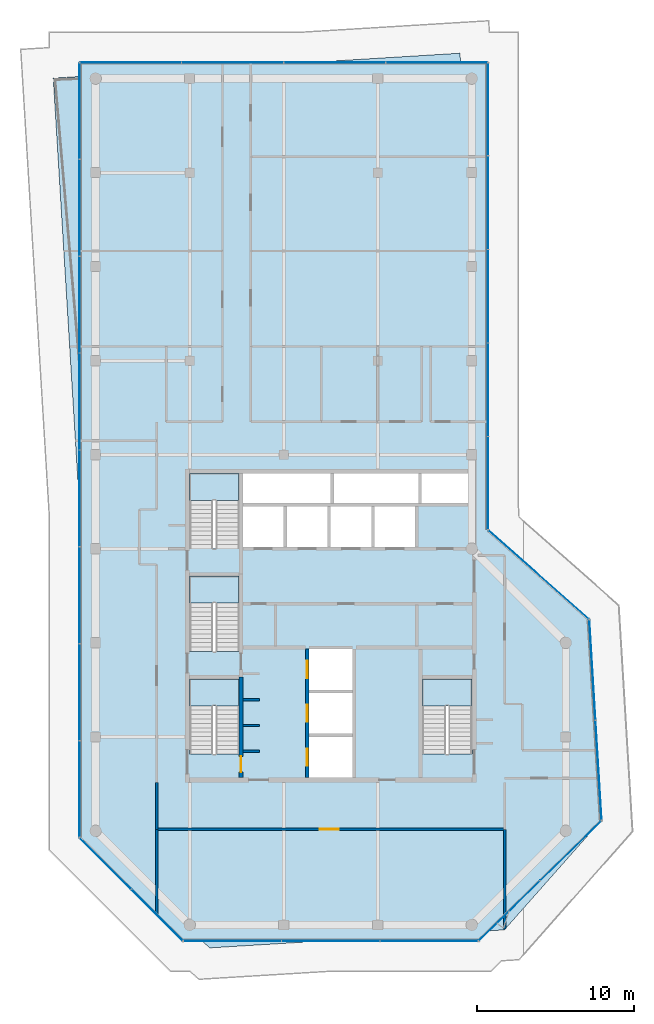
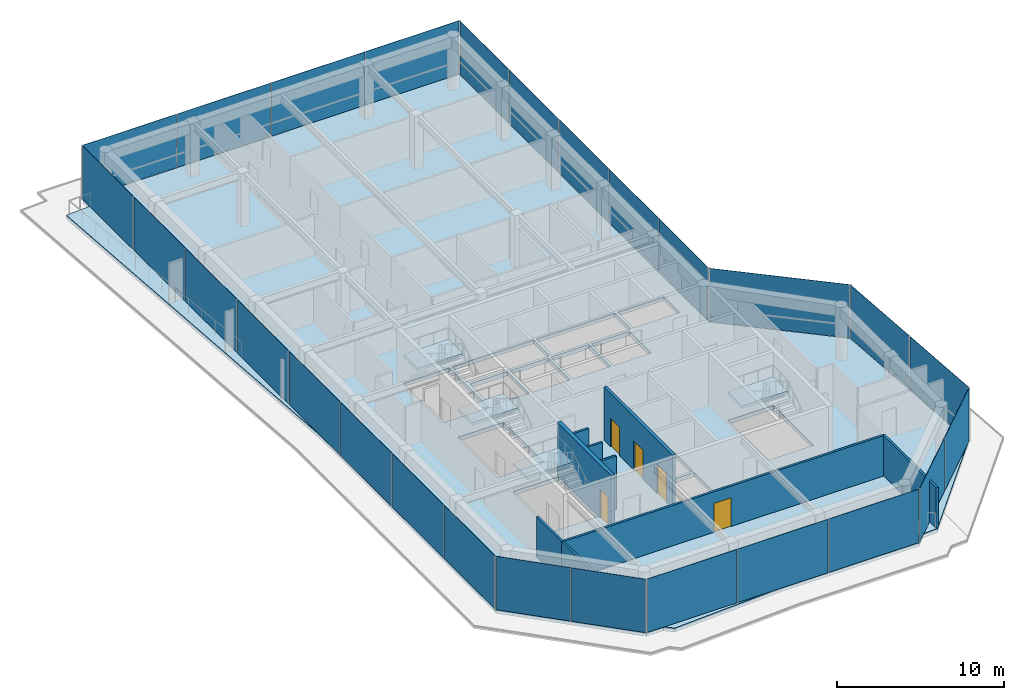
# One storey, part 17 of 22: 27 plates, 9 walls, 5 doors, 5 slabs, 5 openings, 12 elements without a shape of their own.
"""IFC4 building model written with IfcOpenShell, lengths in metres."""

import ifcopenshell
import ifcopenshell.guid

model = None  # the IFC model being written
_history = None  # IfcOwnerHistory: only IFC2X3 demands one
_inside = {}  # id of a spatial element -> (the spatial element, [elements in it])
_under = {}  # id of a project, library or spatial element -> (it, [spatial elements below it])
_declared = {}  # id of a project -> (the project, [libraries it declares])
_typed = {}  # id of a type object -> (the type object, [elements of that type])
_made_of = {}  # id of a material, layer set ... -> (it, [elements and type objects made of it])


def new_model(schema):
    """Start an empty IFC model of exactly this schema.

    Asked for "IFC4X3", IfcOpenShell would pick the latest addendum, in which some entities
    have other attributes; the version numbers below select the first issue.
    IFC2X3 requires an IfcOwnerHistory on every rooted entity: one is made here for all.
    """
    global model, _history
    if schema == "IFC4X3":
        model = ifcopenshell.file(schema_version=(4, 3, 0, 0))
    else:
        model = ifcopenshell.file(schema=schema)
    _inside.clear()
    _under.clear()
    _declared.clear()
    _typed.clear()
    _made_of.clear()
    _history = None
    if model.schema == "IFC2X3":
        org = make("IfcOrganization", Name="unknown")
        user = make(
            "IfcPersonAndOrganization",
            ThePerson=make("IfcPerson", FamilyName="unknown"),
            TheOrganization=org,
        )
        app = make(
            "IfcApplication",
            ApplicationDeveloper=org,
            Version="unknown",
            ApplicationFullName="unknown",
            ApplicationIdentifier="unknown",
        )
        _history = make(
            "IfcOwnerHistory",
            OwningUser=user,
            OwningApplication=app,
            ChangeAction="ADDED",
            CreationDate=0,
        )
    return model


def make(cls, **values):
    """One entity of the class cls with the attributes given. An attribute that is None is left unset."""
    return model.create_entity(
        cls, **{name: value for name, value in values.items() if value is not None}
    )


def rooted(cls, **values):
    """An entity with a GlobalId (a new one), such as an element, a storey or a relation."""
    return make(cls, GlobalId=ifcopenshell.guid.new(), OwnerHistory=_history, **values)


def si_unit(unit_type, name, prefix=None):
    """IfcSIUnit, for example si_unit("LENGTHUNIT", "METRE", prefix="MILLI")."""
    return make("IfcSIUnit", UnitType=unit_type, Prefix=prefix, Name=name)


def assignment(units):
    """IfcUnitAssignment: the units of a project."""
    return None if units is None else make("IfcUnitAssignment", Units=units)


def point(xyz):
    """IfcCartesianPoint."""
    return None if xyz is None else make("IfcCartesianPoint", Coordinates=xyz)


def direction(xyz):
    """IfcDirection."""
    return None if xyz is None else make("IfcDirection", DirectionRatios=xyz)


def frame(location, z_axis=None, x_axis=None):
    """IfcAxis2Placement3D, a coordinate frame: its origin and axes. An axis left out is left unset."""
    return make(
        "IfcAxis2Placement3D",
        Location=point(location),
        Axis=direction(z_axis),
        RefDirection=direction(x_axis),
    )


def frame_2d(location, x_axis=None):
    """IfcAxis2Placement2D, a coordinate frame in the plane: its origin and x axis."""
    return make(
        "IfcAxis2Placement2D", Location=point(location), RefDirection=direction(x_axis)
    )


def origin():
    """The frame at (0, 0, 0) with its axes left unset."""
    return frame((0.0, 0.0, 0.0))


def origin_2d():
    """The frame at (0, 0) in the plane with its x axis left unset."""
    return frame_2d((0.0, 0.0))


def place(relative_to, where):
    """IfcLocalPlacement: puts the frame where relative to a parent placement (None: the world)."""
    return make(
        "IfcLocalPlacement", PlacementRelTo=relative_to, RelativePlacement=where
    )


def context(
    kind, dimensions, precision=None, world=None, true_north=None, identifier=None
):
    """IfcGeometricRepresentationContext, for example the 3D "Model" context."""
    return make(
        "IfcGeometricRepresentationContext",
        ContextIdentifier=identifier,
        ContextType=kind,
        CoordinateSpaceDimension=dimensions,
        Precision=precision,
        WorldCoordinateSystem=world,
        TrueNorth=true_north,
    )


def subcontext(parent, identifier, kind, view, scale=None):
    """IfcGeometricRepresentationSubContext, for example "Body" below "Model"."""
    return make(
        "IfcGeometricRepresentationSubContext",
        ContextIdentifier=identifier,
        ContextType=kind,
        ParentContext=parent,
        TargetScale=scale,
        TargetView=view,
    )


def project(units=None, contexts=None):
    """IfcProject with its units and contexts."""
    return rooted(
        "IfcProject",
        Name="project",
        RepresentationContexts=contexts,
        UnitsInContext=assignment(units),
    )


def spatial(cls, under=None, at=None, **own):
    """A site, building, storey or space (cls), placed at a placement, below another one or the project."""
    s = rooted(cls, ObjectPlacement=at, **own)
    if under is not None:
        _under.setdefault(under.id(), (under, []))[1].append(s)
    return s


def polyline(points):
    """IfcPolyline through the points."""
    return make("IfcPolyline", Points=[point(p) for p in points])


def profile(cls, at=None, kind="AREA", **sizes):
    """A parametric profile (cls). Its sizes go by their IFC names, for example OverallWidth=200.0."""
    return make(cls, ProfileType=kind, Position=at, **sizes)


def rectangle(**sizes):
    """IfcRectangleProfileDef."""
    return profile("IfcRectangleProfileDef", **sizes)


def outline(outer, holes=None, kind="AREA"):
    """IfcArbitraryClosedProfileDef: a profile drawn as a closed curve; with holes, ...WithVoids."""
    if holes is None:
        return make("IfcArbitraryClosedProfileDef", ProfileType=kind, OuterCurve=outer)
    return make(
        "IfcArbitraryProfileDefWithVoids",
        ProfileType=kind,
        OuterCurve=outer,
        InnerCurves=holes,
    )


def extrude(swept, where, along, depth):
    """IfcExtrudedAreaSolid: the profile swept, set in the frame where, extruded along a direction by depth."""
    return make(
        "IfcExtrudedAreaSolid",
        SweptArea=swept,
        Position=where,
        ExtrudedDirection=direction(along),
        Depth=depth,
    )


def shape(context_of_items, identifier, shape_type, items):
    """IfcShapeRepresentation: the items that make up one representation, for example the "Body"."""
    return make(
        "IfcShapeRepresentation",
        ContextOfItems=context_of_items,
        RepresentationIdentifier=identifier,
        RepresentationType=shape_type,
        Items=items,
    )


def material(Name=None, Category=None):
    """IfcMaterial."""
    return make("IfcMaterial", Name=Name, Category=Category)


def layer(
    of_material, thickness, ventilated=None, Name=None, Category=None, Priority=None
):
    """IfcMaterialLayer: one layer of a wall or slab, of a material (None: an air gap)."""
    return make(
        "IfcMaterialLayer",
        Material=of_material,
        LayerThickness=thickness,
        IsVentilated=ventilated,
        Name=Name,
        Category=Category,
        Priority=Priority,
    )


def layer_set(layers, Name=None):
    """IfcMaterialLayerSet."""
    return make("IfcMaterialLayerSet", MaterialLayers=layers, LayerSetName=Name)


def made_of(thing, what):
    """Note that an element or type object is made of a material, layer set ...; save() writes the relation."""
    if what is not None:
        _made_of.setdefault(what.id(), (what, []))[1].append(thing)
    return thing


def type_object(cls, material=None, **own):
    """A type object (cls), such as IfcWallType, which elements share."""
    return made_of(rooted(cls, **own), material)


def element(
    cls,
    number,
    at=None,
    inside=None,
    cuts=None,
    type_object=None,
    material=None,
    context=None,
    identifier="Body",
    shape_type=None,
    held_by="IfcProductDefinitionShape",
    body=None,
    shapes=None,
    **own,
):
    """One element of the class cls, such as IfcWall. Its Tag is "e" and its number.

    at: its placement. inside: the storey or other place that contains it. cuts: it is an
    opening in that element (IfcRelVoidsElement). A single representation is given by context,
    identifier, shape_type and body (its items); several are given by shapes. held_by: the class
    of the entity that holds the representations. save() writes the other relations.
    """
    e = rooted(cls, Tag="e%d" % number, ObjectPlacement=at, **own)
    if body is not None:
        shapes = [shape(context, identifier, shape_type, body)]
    if shapes is not None:
        e.Representation = make(held_by, Representations=shapes)
    if inside is not None:
        _inside.setdefault(inside.id(), (inside, []))[1].append(e)
    if cuts is not None:
        rooted(
            "IfcRelVoidsElement", RelatingBuildingElement=cuts, RelatedOpeningElement=e
        )
    if type_object is not None:
        _typed.setdefault(type_object.id(), (type_object, []))[1].append(e)
    return made_of(e, material)


def fill(opening, filler):
    """IfcRelFillsElement: the door or window that sits in an opening."""
    return rooted(
        "IfcRelFillsElement",
        RelatingOpeningElement=opening,
        RelatedBuildingElement=filler,
    )


def aggregate(whole, parts):
    """IfcRelAggregates: a whole, such as a stair, and the parts it consists of."""
    return rooted("IfcRelAggregates", RelatingObject=whole, RelatedObjects=parts)


def save(model, path):
    """Write the relations noted so far, then the file.

    IfcRelAggregates (storeys below a building ...), IfcRelContainedInSpatialStructure (elements
    in a storey), IfcRelDefinesByType, IfcRelAssociatesMaterial and IfcRelDeclares: one each for
    every whole, place, type object, material and project.
    """
    for whole, parts in _under.values():
        aggregate(whole, parts)
    for where, things in _inside.values():
        rooted(
            "IfcRelContainedInSpatialStructure",
            RelatedElements=things,
            RelatingStructure=where,
        )
    for kind, things in _typed.values():
        rooted("IfcRelDefinesByType", RelatedObjects=things, RelatingType=kind)
    for what, things in _made_of.values():
        rooted("IfcRelAssociatesMaterial", RelatedObjects=things, RelatingMaterial=what)
    for by, libraries in _declared.values():
        rooted("IfcRelDeclares", RelatingContext=by, RelatedDefinitions=libraries)
    model.write(path)


model = new_model("IFC4")

# Units and contexts
model_context = context("Model", 3, precision=1e-05, world=origin(), true_north=direction((0.0, 1.0)))
body_context = subcontext(model_context, "Body", "Model", "MODEL_VIEW")
ifc_project = project(units=[si_unit("LENGTHUNIT", "METRE"), si_unit("AREAUNIT", "SQUARE_METRE"), si_unit("VOLUMEUNIT", "CUBIC_METRE"), si_unit("PLANEANGLEUNIT", "RADIAN"), si_unit("MASSUNIT", "GRAM", prefix="KILO")], contexts=[model_context])

# Site, building, storey
site_placement = place(None, origin())
site = spatial("IfcSite", under=ifc_project, at=site_placement, CompositionType="ELEMENT")
building_placement = place(site_placement, origin())
building = spatial("IfcBuilding", under=site, at=building_placement, Name="Welwitschia Terrace Campus", CompositionType="ELEMENT")
storey_placement = place(building_placement, frame((0.0, 0.0, 318.800048828125)))
storey = spatial("IfcBuildingStorey", under=building, at=storey_placement, Name="L71", CompositionType="ELEMENT", Elevation=318.800048828125)

# Curtain wall, plates
ifc_material_1 = material(Name="Bronze anodised aluminium", Category="aluminium")
ifc_layer_1 = layer(ifc_material_1, 0.10009765625)
ifc_layer_set_1 = layer_set([ifc_layer_1], Name="Bronze anodised aluminium")
curtain_wall_type = type_object("IfcCurtainWallType", Name="Curtain wall CW5 crown 6000", PredefinedType="NOTDEFINED", material=ifc_layer_set_1)
curtain_wall_1_placement = place(storey_placement, origin())
curtain_wall_1 = element("IfcCurtainWall", 1, at=curtain_wall_1_placement, inside=storey, type_object=curtain_wall_type, Name="CW L71.0.0", PredefinedType="NOTDEFINED")
ifc_material_2 = material(Name="Tinted bronze-grey glass", Category="glass")
ifc_layer_2 = layer(ifc_material_2, 0.02392578125)
ifc_layer_set_2 = layer_set([ifc_layer_2], Name="Tinted bronze-grey glass")
plate_type = type_object("IfcPlateType", Name="Glass panel 24 tinted", PredefinedType="CURTAIN_PANEL", material=ifc_layer_set_2)
plate_1_placement = place(storey_placement, frame((0.629638671875, -0.08642578125, 0.0), z_axis=(0.0, 0.0, 1.0), x_axis=(0.707106781187, -0.707106781187, 0.0)))
plate_1 = element("IfcPlate", 2, at=plate_1_placement, type_object=plate_type, Name="Panel L71.0.0.0", PredefinedType="CURTAIN_PANEL", context=body_context, shape_type="SweptSolid", body=[
    extrude(rectangle(XDim=4.59423828125, YDim=0.02392578125, at=origin_2d()), origin(), (0.0, 0.0, 1.0), 3.89990234375),
])
plate_2_placement = place(storey_placement, frame((3.91357421875, -3.370361328125, 0.0), z_axis=(0.0, 0.0, 1.0), x_axis=(0.707106781187, -0.707106781187, 0.0)))
plate_2 = element("IfcPlate", 3, at=plate_2_placement, type_object=plate_type, Name="Panel L71.0.0.1", PredefinedType="CURTAIN_PANEL", context=body_context, shape_type="SweptSolid", body=[
    extrude(rectangle(XDim=4.59423828125, YDim=0.02392578125, at=origin_2d()), origin(), (0.0, 0.0, 1.0), 3.89990234375),
])
aggregate(curtain_wall_1, [plate_1, plate_2])

curtain_wall_2_placement = place(storey_placement, origin())
curtain_wall_2 = element("IfcCurtainWall", 4, at=curtain_wall_2_placement, inside=storey, type_object=curtain_wall_type, Name="CW L71.1.0", PredefinedType="NOTDEFINED")
plate_3_placement = place(storey_placement, frame((8.72802734375, -5.030029296875, 0.0), z_axis=(0.0, 0.0, 1.0), x_axis=(1.0, 0.0, 0.0)))
plate_3 = element("IfcPlate", 5, at=plate_3_placement, type_object=plate_type, Name="Panel L71.1.0.0", PredefinedType="CURTAIN_PANEL", context=body_context, shape_type="SweptSolid", body=[
    extrude(rectangle(XDim=6.20947265625, YDim=0.02392578125, at=origin_2d()), origin(), (0.0, 0.0, 1.0), 3.89990234375),
])
plate_4_placement = place(storey_placement, frame((15.0, -5.030029296875, 0.0), z_axis=(0.0, 0.0, 1.0), x_axis=(1.0, 0.0, 0.0)))
plate_4 = element("IfcPlate", 6, at=plate_4_placement, type_object=plate_type, Name="Panel L71.1.0.1", PredefinedType="CURTAIN_PANEL", context=body_context, shape_type="SweptSolid", body=[
    extrude(rectangle(XDim=6.234375, YDim=0.02392578125, at=origin_2d()), origin(), (0.0, 0.0, 1.0), 3.89990234375),
])
plate_5_placement = place(storey_placement, frame((21.27197265625, -5.030029296875, 0.0), z_axis=(0.0, 0.0, 1.0), x_axis=(1.0, 0.0, 0.0)))
plate_5 = element("IfcPlate", 7, at=plate_5_placement, type_object=plate_type, Name="Panel L71.1.0.2", PredefinedType="CURTAIN_PANEL", context=body_context, shape_type="SweptSolid", body=[
    extrude(rectangle(XDim=6.20947265625, YDim=0.02392578125, at=origin_2d()), origin(), (0.0, 0.0, 1.0), 3.89990234375),
])
aggregate(curtain_wall_2, [plate_3, plate_4, plate_5])

curtain_wall_3_placement = place(storey_placement, origin())
curtain_wall_3 = element("IfcCurtainWall", 8, at=curtain_wall_3_placement, inside=storey, type_object=curtain_wall_type, Name="CW L71.2.0", PredefinedType="NOTDEFINED")
plate_6_placement = place(storey_placement, frame((26.39990234375, -3.1015625, 0.0), z_axis=(0.0, 0.0, 1.0), x_axis=(0.715178861458, 0.698941482617, 0.0)))
plate_6 = element("IfcPlate", 9, at=plate_6_placement, type_object=plate_type, Name="Panel L71.2.0.0", PredefinedType="CURTAIN_PANEL", context=body_context, shape_type="SweptSolid", body=[
    extrude(rectangle(XDim=5.41796875, YDim=0.02392578125, at=origin_2d()), origin(), (0.0, 0.0, 1.0), 3.89990234375),
])
plate_7_placement = place(storey_placement, frame((30.310302734375, 0.72021484375, 0.0), z_axis=(0.0, 0.0, 1.0), x_axis=(0.715178861458, 0.698941482617, 0.0)))
plate_7 = element("IfcPlate", 10, at=plate_7_placement, type_object=plate_type, Name="Panel L71.2.0.1", PredefinedType="CURTAIN_PANEL", context=body_context, shape_type="SweptSolid", body=[
    extrude(rectangle(XDim=5.41796875, YDim=0.02392578125, at=origin_2d()), origin(), (0.0, 0.0, 1.0), 3.89990234375),
])
aggregate(curtain_wall_3, [plate_6, plate_7])

curtain_wall_4_placement = place(storey_placement, origin())
curtain_wall_4 = element("IfcCurtainWall", 11, at=curtain_wall_4_placement, inside=storey, type_object=curtain_wall_type, Name="CW L71.3.0", PredefinedType="NOTDEFINED")
plate_8_placement = place(storey_placement, frame((32.086669921875, 5.8681640625, 0.0), z_axis=(0.0, 0.0, 1.0), x_axis=(-0.061048539535, 0.998134798422, 0.0)))
plate_8 = element("IfcPlate", 12, at=plate_8_placement, type_object=plate_type, Name="Panel L71.3.0.0", PredefinedType="CURTAIN_PANEL", context=body_context, shape_type="SweptSolid", body=[
    extrude(rectangle(XDim=6.3515625, YDim=0.02392578125, at=origin_2d()), origin(), (0.0, 0.0, 1.0), 3.89990234375),
])
plate_9_placement = place(storey_placement, frame((31.69580078125, 12.258056640625, 0.0), z_axis=(0.0, 0.0, 1.0), x_axis=(-0.061048539535, 0.998134798422, 0.0)))
plate_9 = element("IfcPlate", 13, at=plate_9_placement, type_object=plate_type, Name="Panel L71.3.0.1", PredefinedType="CURTAIN_PANEL", context=body_context, shape_type="SweptSolid", body=[
    extrude(rectangle(XDim=6.3515625, YDim=0.02392578125, at=origin_2d()), origin(), (0.0, 0.0, 1.0), 3.89990234375),
])
aggregate(curtain_wall_4, [plate_8, plate_9])

# Curtain wall, plate
curtain_wall_5_placement = place(storey_placement, origin())
curtain_wall_5 = element("IfcCurtainWall", 14, at=curtain_wall_5_placement, inside=storey, type_object=curtain_wall_type, Name="CW L71.4.0", PredefinedType="NOTDEFINED")
plate_10_placement = place(storey_placement, frame((28.264404296875, 18.33935546875, 0.0), z_axis=(0.0, 0.0, 1.0), x_axis=(-0.748955720789, 0.662620048216, 0.0)))
plate_10 = element("IfcPlate", 15, at=plate_10_placement, type_object=plate_type, Name="Panel L71.4.0.0", PredefinedType="CURTAIN_PANEL", context=body_context, shape_type="SweptSolid", body=[
    extrude(rectangle(XDim=8.537109375, YDim=0.02392578125, at=origin_2d()), origin(), (0.0, 0.0, 1.0), 3.89990234375),
])
aggregate(curtain_wall_5, [plate_10])

# Curtain wall, plates
curtain_wall_6_placement = place(storey_placement, origin())
curtain_wall_6 = element("IfcCurtainWall", 16, at=curtain_wall_6_placement, inside=storey, type_object=curtain_wall_type, Name="CW L71.5.0", PredefinedType="NOTDEFINED")
plate_11_placement = place(storey_placement, frame((25.030029296875, 24.1962890625, 0.0), z_axis=(0.0, 0.0, 1.0), x_axis=(0.0, 1.0, 0.0)))
plate_11 = element("IfcPlate", 17, at=plate_11_placement, type_object=plate_type, Name="Panel L71.5.0.0", PredefinedType="CURTAIN_PANEL", context=body_context, shape_type="SweptSolid", body=[
    extrude(rectangle(XDim=5.890869140625, YDim=0.02392578125, at=origin_2d()), origin(), (0.0, 0.0, 1.0), 3.89990234375),
])
plate_12_placement = place(storey_placement, frame((25.030029296875, 30.149658203125, 0.0), z_axis=(0.0, 0.0, 1.0), x_axis=(0.0, 1.0, 0.0)))
plate_12 = element("IfcPlate", 18, at=plate_12_placement, type_object=plate_type, Name="Panel L71.5.0.1", PredefinedType="CURTAIN_PANEL", context=body_context, shape_type="SweptSolid", body=[
    extrude(rectangle(XDim=5.915771484375, YDim=0.02392578125, at=origin_2d()), origin(), (0.0, 0.0, 1.0), 3.89990234375),
])
plate_13_placement = place(storey_placement, frame((25.030029296875, 36.115478515625, 0.0), z_axis=(0.0, 0.0, 1.0), x_axis=(0.0, 1.0, 0.0)))
plate_13 = element("IfcPlate", 19, at=plate_13_placement, type_object=plate_type, Name="Panel L71.5.0.2", PredefinedType="CURTAIN_PANEL", context=body_context, shape_type="SweptSolid", body=[
    extrude(rectangle(XDim=5.915771484375, YDim=0.02392578125, at=origin_2d()), origin(), (0.0, 0.0, 1.0), 3.89990234375),
])
plate_14_placement = place(storey_placement, frame((25.030029296875, 42.081298828125, 0.0), z_axis=(0.0, 0.0, 1.0), x_axis=(0.0, 1.0, 0.0)))
plate_14 = element("IfcPlate", 20, at=plate_14_placement, type_object=plate_type, Name="Panel L71.5.0.3", PredefinedType="CURTAIN_PANEL", context=body_context, shape_type="SweptSolid", body=[
    extrude(rectangle(XDim=5.915771484375, YDim=0.02392578125, at=origin_2d()), origin(), (0.0, 0.0, 1.0), 3.89990234375),
])
plate_15_placement = place(storey_placement, frame((25.030029296875, 48.03466796875, 0.0), z_axis=(0.0, 0.0, 1.0), x_axis=(0.0, 1.0, 0.0)))
plate_15 = element("IfcPlate", 21, at=plate_15_placement, type_object=plate_type, Name="Panel L71.5.0.4", PredefinedType="CURTAIN_PANEL", context=body_context, shape_type="SweptSolid", body=[
    extrude(rectangle(XDim=5.890869140625, YDim=0.02392578125, at=origin_2d()), origin(), (0.0, 0.0, 1.0), 3.89990234375),
])
aggregate(curtain_wall_6, [plate_11, plate_12, plate_13, plate_14, plate_15])

curtain_wall_7_placement = place(storey_placement, origin())
curtain_wall_7 = element("IfcCurtainWall", 22, at=curtain_wall_7_placement, inside=storey, type_object=curtain_wall_type, Name="CW L71.6.0", PredefinedType="NOTDEFINED")
plate_16_placement = place(storey_placement, frame((21.760009765625, 51.030029296875, 0.0), z_axis=(0.0, 0.0, 1.0), x_axis=(-1.0, 0.0, 0.0)))
plate_16 = element("IfcPlate", 23, at=plate_16_placement, type_object=plate_type, Name="Panel L71.6.0.0", PredefinedType="CURTAIN_PANEL", context=body_context, shape_type="SweptSolid", body=[
    extrude(rectangle(XDim=6.43994140625, YDim=0.02392578125, at=origin_2d()), origin(), (0.0, 0.0, 1.0), 3.89990234375),
])
plate_17_placement = place(storey_placement, frame((15.257568359375, 51.030029296875, 0.0), z_axis=(0.0, 0.0, 1.0), x_axis=(-1.0, 0.0, 0.0)))
plate_17 = element("IfcPlate", 24, at=plate_17_placement, type_object=plate_type, Name="Panel L71.6.0.1", PredefinedType="CURTAIN_PANEL", context=body_context, shape_type="SweptSolid", body=[
    extrude(rectangle(XDim=6.465087890625, YDim=0.02392578125, at=origin_2d()), origin(), (0.0, 0.0, 1.0), 3.89990234375),
])
plate_18_placement = place(storey_placement, frame((8.742431640625, 51.030029296875, 0.0), z_axis=(0.0, 0.0, 1.0), x_axis=(-1.0, 0.0, 0.0)))
plate_18 = element("IfcPlate", 25, at=plate_18_placement, type_object=plate_type, Name="Panel L71.6.0.2", PredefinedType="CURTAIN_PANEL", context=body_context, shape_type="SweptSolid", body=[
    extrude(rectangle(XDim=6.465087890625, YDim=0.02392578125, at=origin_2d()), origin(), (0.0, 0.0, 1.0), 3.89990234375),
])
plate_19_placement = place(storey_placement, frame((2.239990234375, 51.030029296875, 0.0), z_axis=(0.0, 0.0, 1.0), x_axis=(-1.0, 0.0, 0.0)))
plate_19 = element("IfcPlate", 26, at=plate_19_placement, type_object=plate_type, Name="Panel L71.6.0.3", PredefinedType="CURTAIN_PANEL", context=body_context, shape_type="SweptSolid", body=[
    extrude(rectangle(XDim=6.43994140625, YDim=0.02392578125, at=origin_2d()), origin(), (0.0, 0.0, 1.0), 3.89990234375),
])
aggregate(curtain_wall_7, [plate_16, plate_17, plate_18, plate_19])

curtain_wall_8_placement = place(storey_placement, origin())
curtain_wall_8 = element("IfcCurtainWall", 27, at=curtain_wall_8_placement, inside=storey, type_object=curtain_wall_type, Name="CW L71.7.0", PredefinedType="NOTDEFINED")
plate_20_placement = place(storey_placement, frame((-1.030029296875, 47.926513671875, 0.0), z_axis=(0.0, 0.0, 1.0), x_axis=(0.0, -1.0, 0.0)))
plate_20 = element("IfcPlate", 28, at=plate_20_placement, type_object=plate_type, Name="Panel L71.7.0.0", PredefinedType="CURTAIN_PANEL", context=body_context, shape_type="SweptSolid", body=[
    extrude(rectangle(XDim=6.107177734375, YDim=0.02392578125, at=origin_2d()), origin(), (0.0, 0.0, 1.0), 3.89990234375),
])
plate_21_placement = place(storey_placement, frame((-1.030029296875, 41.7568359375, 0.0), z_axis=(0.0, 0.0, 1.0), x_axis=(0.0, -1.0, 0.0)))
plate_21 = element("IfcPlate", 29, at=plate_21_placement, type_object=plate_type, Name="Panel L71.7.0.1", PredefinedType="CURTAIN_PANEL", context=body_context, shape_type="SweptSolid", body=[
    extrude(rectangle(XDim=6.132080078125, YDim=0.02392578125, at=origin_2d()), origin(), (0.0, 0.0, 1.0), 3.89990234375),
])
plate_22_placement = place(storey_placement, frame((-1.030029296875, 35.57470703125, 0.0), z_axis=(0.0, 0.0, 1.0), x_axis=(0.0, -1.0, 0.0)))
plate_22 = element("IfcPlate", 30, at=plate_22_placement, type_object=plate_type, Name="Panel L71.7.0.2", PredefinedType="CURTAIN_PANEL", context=body_context, shape_type="SweptSolid", body=[
    extrude(rectangle(XDim=6.132080078125, YDim=0.02392578125, at=origin_2d()), origin(), (0.0, 0.0, 1.0), 3.89990234375),
])
plate_23_placement = place(storey_placement, frame((-1.030029296875, 29.392822265625, 0.0), z_axis=(0.0, 0.0, 1.0), x_axis=(0.0, -1.0, 0.0)))
plate_23 = element("IfcPlate", 31, at=plate_23_placement, type_object=plate_type, Name="Panel L71.7.0.3", PredefinedType="CURTAIN_PANEL", context=body_context, shape_type="SweptSolid", body=[
    extrude(rectangle(XDim=6.132080078125, YDim=0.02392578125, at=origin_2d()), origin(), (0.0, 0.0, 1.0), 3.89990234375),
])
plate_24_placement = place(storey_placement, frame((-1.030029296875, 23.210693359375, 0.0), z_axis=(0.0, 0.0, 1.0), x_axis=(0.0, -1.0, 0.0)))
plate_24 = element("IfcPlate", 32, at=plate_24_placement, type_object=plate_type, Name="Panel L71.7.0.4", PredefinedType="CURTAIN_PANEL", context=body_context, shape_type="SweptSolid", body=[
    extrude(rectangle(XDim=6.132080078125, YDim=0.02392578125, at=origin_2d()), origin(), (0.0, 0.0, 1.0), 3.89990234375),
])
plate_25_placement = place(storey_placement, frame((-1.030029296875, 17.028564453125, 0.0), z_axis=(0.0, 0.0, 1.0), x_axis=(0.0, -1.0, 0.0)))
plate_25 = element("IfcPlate", 33, at=plate_25_placement, type_object=plate_type, Name="Panel L71.7.0.5", PredefinedType="CURTAIN_PANEL", context=body_context, shape_type="SweptSolid", body=[
    extrude(rectangle(XDim=6.132080078125, YDim=0.02392578125, at=origin_2d()), origin(), (0.0, 0.0, 1.0), 3.89990234375),
])
plate_26_placement = place(storey_placement, frame((-1.030029296875, 10.846435546875, 0.0), z_axis=(0.0, 0.0, 1.0), x_axis=(0.0, -1.0, 0.0)))
plate_26 = element("IfcPlate", 34, at=plate_26_placement, type_object=plate_type, Name="Panel L71.7.0.6", PredefinedType="CURTAIN_PANEL", context=body_context, shape_type="SweptSolid", body=[
    extrude(rectangle(XDim=6.132080078125, YDim=0.02392578125, at=origin_2d()), origin(), (0.0, 0.0, 1.0), 3.89990234375),
])
plate_27_placement = place(storey_placement, frame((-1.030029296875, 4.677001953125, 0.0), z_axis=(0.0, 0.0, 1.0), x_axis=(0.0, -1.0, 0.0)))
plate_27 = element("IfcPlate", 35, at=plate_27_placement, type_object=plate_type, Name="Panel L71.7.0.7", PredefinedType="CURTAIN_PANEL", context=body_context, shape_type="SweptSolid", body=[
    extrude(rectangle(XDim=6.107177734375, YDim=0.02392578125, at=origin_2d()), origin(), (0.0, 0.0, 1.0), 3.89990234375),
])
aggregate(curtain_wall_8, [plate_20, plate_21, plate_22, plate_23, plate_24, plate_25, plate_26, plate_27])

# Stair, slab
ifc_material_3 = material(Name="Concrete C40/50", Category="concrete")
stair_type = type_object("IfcStairType", Name="Stair 24R 175 W1500", PredefinedType="HALF_TURN_STAIR", material=ifc_material_3)
stair_1_placement = place(storey_placement, origin())
stair_1 = element("IfcStair", 36, at=stair_1_placement, inside=storey, type_object=stair_type, Name="L71 Exit stair S1", PredefinedType="HALF_TURN_STAIR")
ifc_material_4 = material(Name="Concrete C40/50", Category="concrete")
ifc_layer_3 = layer(ifc_material_4, 0.199951171875)
ifc_layer_set_3 = layer_set([ifc_layer_3], Name="Concrete C40/50")
slab_type_1 = type_object("IfcSlabType", Name="Stair landing RC", PredefinedType="LANDING", material=ifc_layer_set_3)
slab_1_placement = place(storey_placement, frame((0.0, 0.0, 1.89990234375)))
slab_1 = element("IfcSlab", 37, at=slab_1_placement, type_object=slab_type_1, Name="S1 landing 1", PredefinedType="LANDING", context=body_context, shape_type="SweptSolid", body=[
    extrude(outline(polyline([(9.14990234375, 9.97998046875), (9.14990234375, 11.699951171875), (6.0, 11.699951171875), (6.0, 9.97998046875), (9.14990234375, 9.97998046875)])), origin(), (0.0, 0.0, 1.0), 0.199951171875),
])
aggregate(stair_1, [slab_1])

stair_2_placement = place(storey_placement, origin())
stair_2 = element("IfcStair", 38, at=stair_2_placement, inside=storey, type_object=stair_type, Name="L71 Exit stair S3", PredefinedType="HALF_TURN_STAIR")
slab_2_placement = place(storey_placement, frame((0.0, 0.0, 1.89990234375)))
slab_2 = element("IfcSlab", 39, at=slab_2_placement, type_object=slab_type_1, Name="S3 landing 1", PredefinedType="LANDING", context=body_context, shape_type="SweptSolid", body=[
    extrude(outline(polyline([(9.14990234375, 16.530029296875), (9.14990234375, 18.25), (6.0, 18.25), (6.0, 16.530029296875), (9.14990234375, 16.530029296875)])), origin(), (0.0, 0.0, 1.0), 0.199951171875),
])
aggregate(stair_2, [slab_2])

stair_3_placement = place(storey_placement, origin())
stair_3 = element("IfcStair", 40, at=stair_3_placement, inside=storey, type_object=stair_type, Name="L71 Exit stair S4", PredefinedType="HALF_TURN_STAIR")
slab_3_placement = place(storey_placement, frame((0.0, 0.0, 1.89990234375)))
slab_3 = element("IfcSlab", 41, at=slab_3_placement, type_object=slab_type_1, Name="S4 landing 1", PredefinedType="LANDING", context=body_context, shape_type="SweptSolid", body=[
    extrude(outline(polyline([(9.14990234375, 23.080078125), (9.14990234375, 24.800048828125), (6.0, 24.800048828125), (6.0, 23.080078125), (9.14990234375, 23.080078125)])), origin(), (0.0, 0.0, 1.0), 0.199951171875),
])
aggregate(stair_3, [slab_3])

stair_4_placement = place(storey_placement, origin())
stair_4 = element("IfcStair", 42, at=stair_4_placement, inside=storey, type_object=stair_type, Name="L71 Exit stair S2", PredefinedType="HALF_TURN_STAIR")
slab_4_placement = place(storey_placement, frame((0.0, 0.0, 1.89990234375)))
slab_4 = element("IfcSlab", 43, at=slab_4_placement, type_object=slab_type_1, Name="S2 landing 1", PredefinedType="LANDING", context=body_context, shape_type="SweptSolid", body=[
    extrude(outline(polyline([(24.0, 9.97998046875), (24.0, 11.699951171875), (20.85009765625, 11.699951171875), (20.85009765625, 9.97998046875), (24.0, 9.97998046875)])), origin(), (0.0, 0.0, 1.0), 0.199951171875),
])
aggregate(stair_4, [slab_4])

# Slab
ifc_material_5 = material(Name="Concrete C40/50", Category="concrete")
ifc_layer_4 = layer(ifc_material_5, 0.300048828125)
ifc_layer_set_4 = layer_set([ifc_layer_4], Name="Concrete C40/50")
slab_type_2 = type_object("IfcSlabType", Name="Suspended floor slab 300", PredefinedType="FLOOR", material=ifc_layer_set_4)
slab_5_placement = place(storey_placement, frame((0.0, 0.0, -0.300048828125)))
element("IfcSlab", 44, at=slab_5_placement, inside=storey, type_object=slab_type_2, Name="Floor slab L71", PredefinedType="FLOOR", context=body_context, shape_type="SweptSolid", body=[
    extrude(outline(polyline([(-2.7041015625, 50.027587890625), (-1.0, 50.1318359375), (-1.0, 51.0), (13.195556640625, 51.0), (23.247314453125, 51.61474609375), (23.284912109375, 51.0), (25.0, 51.0), (25.0, 22.958740234375), (25.114501953125, 21.086181640625), (31.4697265625, 15.463623046875), (32.252685546875, 2.658935546875), (26.081298828125, -4.31640625), (25.03369140625, -4.380615234375), (24.414306640625, -5.0), (14.906494140625, -5.0), (7.2880859375, -5.466064453125), (6.761474609375, -5.0), (5.585693359375, -5.0), (-1.0, 1.585693359375), (-1.0, 22.164306640625), (-2.7041015625, 50.027587890625)]), holes=[polyline([(13.60009765625, 8.0), (13.60009765625, 5.39990234375), (16.39990234375, 5.39990234375), (16.39990234375, 8.0), (13.60009765625, 8.0)]), polyline([(9.14990234375, 11.699951171875), (6.0, 11.699951171875), (6.0, 6.902099609375), (9.14990234375, 6.902099609375), (9.14990234375, 11.699951171875)]), polyline([(9.14990234375, 18.25), (6.0, 18.25), (6.0, 13.451904296875), (9.14990234375, 13.451904296875), (9.14990234375, 18.25)]), polyline([(12.0, 22.699951171875), (9.39990234375, 22.699951171875), (9.39990234375, 20.10009765625), (12.0, 20.10009765625), (12.0, 22.699951171875)]), polyline([(14.800048828125, 22.699951171875), (12.199951171875, 22.699951171875), (12.199951171875, 20.10009765625), (14.800048828125, 20.10009765625), (14.800048828125, 22.699951171875)]), polyline([(9.14990234375, 24.800048828125), (6.0, 24.800048828125), (6.0, 20.001953125), (9.14990234375, 20.001953125), (9.14990234375, 24.800048828125)]), polyline([(15.0, 24.800048828125), (9.39990234375, 24.800048828125), (9.39990234375, 22.89990234375), (15.0, 22.89990234375), (15.0, 24.800048828125)]), polyline([(20.85009765625, 11.699951171875), (20.85009765625, 6.902099609375), (24.0, 6.902099609375), (24.0, 11.699951171875), (20.85009765625, 11.699951171875)]), polyline([(16.39990234375, 10.800048828125), (13.60009765625, 10.800048828125), (13.60009765625, 8.199951171875), (16.39990234375, 8.199951171875), (16.39990234375, 10.800048828125)]), polyline([(16.39990234375, 13.60009765625), (13.60009765625, 13.60009765625), (13.60009765625, 11.0), (16.39990234375, 11.0), (16.39990234375, 13.60009765625)]), polyline([(17.60009765625, 22.699951171875), (15.0, 22.699951171875), (15.0, 20.10009765625), (17.60009765625, 20.10009765625), (17.60009765625, 22.699951171875)]), polyline([(20.39990234375, 22.699951171875), (17.800048828125, 22.699951171875), (17.800048828125, 20.10009765625), (20.39990234375, 20.10009765625), (20.39990234375, 22.699951171875)]), polyline([(20.60009765625, 24.800048828125), (15.199951171875, 24.800048828125), (15.199951171875, 22.89990234375), (20.60009765625, 22.89990234375), (20.60009765625, 24.800048828125)]), polyline([(24.0, 24.800048828125), (20.800048828125, 24.800048828125), (20.800048828125, 22.89990234375), (24.0, 22.89990234375), (24.0, 24.800048828125)])]), origin(), (0.0, 0.0, 1.0), 0.300048828125),
])

# Walls
ifc_material_6 = material(Name="Concrete C50/60", Category="concrete")
ifc_layer_5 = layer(ifc_material_6, 0.14990234375)
ifc_layer_set_5 = layer_set([ifc_layer_5], Name="Concrete C50/60")
wall_type_1 = type_object("IfcWallType", Name="Core wall 150 Concrete C50/60", PredefinedType="SHEAR", material=ifc_layer_set_5)
for number, where, z_axis, x_axis, name in (
    (45, (9.39990234375, 7.074951171875, 0.0), (0.0, 0.0, 1.0), (1.0, 0.0, 0.0), "Core wall"),
    (46, (9.39990234375, 8.72509765625, 0.0), (0.0, 0.0, 1.0), (1.0, 0.0, 0.0), "Core wall"),
    (47, (9.39990234375, 10.375, 0.0), (0.0, 0.0, 1.0), (1.0, 0.0, 0.0), "Core wall"),
):
    element("IfcWall", number, at=place(storey_placement, frame(where, z_axis=z_axis, x_axis=x_axis)), inside=storey, type_object=wall_type_1, Name=name, PredefinedType="SHEAR", context=body_context, shape_type="SweptSolid", body=[
        extrude(rectangle(XDim=1.050048828125, YDim=0.14990234375, at=frame_2d((0.52490234375, 0.0))), origin(), (0.0, 0.0, 1.0), 3.89990234375),
    ])

# Wall, openings, doors
ifc_material_7 = material(Name="Concrete C50/60", Category="concrete")
ifc_layer_6 = layer(ifc_material_7, 0.199951171875)
ifc_layer_set_6 = layer_set([ifc_layer_6], Name="Concrete C50/60")
wall_type_2 = type_object("IfcWallType", Name="Core wall 200 Concrete C50/60", PredefinedType="SHEAR", material=ifc_layer_set_6)
wall_1_placement = place(storey_placement, frame((13.5, 5.39990234375, 0.0), z_axis=(0.0, 0.0, 1.0), x_axis=(0.0, 1.0, 0.0)))
wall_1 = element("IfcWall", 48, at=wall_1_placement, inside=storey, type_object=wall_type_2, Name="Core wall", PredefinedType="SHEAR", context=body_context, shape_type="SweptSolid", body=[
    extrude(rectangle(XDim=8.2001953125, YDim=0.199951171875, at=frame_2d((4.10009765625, 0.0))), origin(), (0.0, 0.0, 1.0), 3.89990234375),
])
opening_1_placement = place(wall_1_placement, frame((0.75, 0.0, 0.0)))
opening_1 = element("IfcOpeningElement", 49, at=opening_1_placement, cuts=wall_1, Name="Opening LD", PredefinedType="OPENING", context=body_context, shape_type="SweptSolid", body=[
    extrude(rectangle(XDim=1.10009765625, YDim=2.10009765625, at=frame_2d((0.550048828125, 1.050048828125))), frame((0.0, 0.10986328125, 0.0), z_axis=(0.0, -1.0, 0.0), x_axis=(1.0, 0.0, 0.0)), (0.0, 0.0, 1.0), 0.219970703125),
])
opening_2_placement = place(wall_1_placement, frame((3.550048828125, 0.0, 0.0)))
opening_2 = element("IfcOpeningElement", 50, at=opening_2_placement, cuts=wall_1, Name="Opening LD", PredefinedType="OPENING", context=body_context, shape_type="SweptSolid", body=[
    extrude(rectangle(XDim=1.10009765625, YDim=2.10009765625, at=frame_2d((0.550048828125, 1.050048828125))), frame((0.0, 0.10986328125, 0.0), z_axis=(0.0, -1.0, 0.0), x_axis=(1.0, 0.0, 0.0)), (0.0, 0.0, 1.0), 0.219970703125),
])
opening_3_placement = place(wall_1_placement, frame((6.35009765625, 0.0, 0.0)))
opening_3 = element("IfcOpeningElement", 51, at=opening_3_placement, cuts=wall_1, Name="Opening LD", PredefinedType="OPENING", context=body_context, shape_type="SweptSolid", body=[
    extrude(rectangle(XDim=1.10009765625, YDim=2.10009765625, at=frame_2d((0.550048828125, 1.050048828125))), frame((0.0, 0.10986328125, 0.0), z_axis=(0.0, -1.0, 0.0), x_axis=(1.0, 0.0, 0.0)), (0.0, 0.0, 1.0), 0.219970703125),
])
ifc_material_8 = material(Name="Stainless steel 304", Category="steel")
door_type_1 = type_object("IfcDoorType", Name="Lift landing door", OperationType="DOUBLE_DOOR_SLIDING", PredefinedType="DOOR", material=ifc_material_8)
door_1_placement = place(opening_1_placement, origin())
door_1 = element("IfcDoor", 52, at=door_1_placement, inside=storey, type_object=door_type_1, Name="Landing door FF1", OperationType="DOUBLE_DOOR_SLIDING", OverallHeight=2.10009765625, OverallWidth=1.10009765625, PredefinedType="DOOR", context=body_context, shape_type="SweptSolid", body=[
    extrude(rectangle(XDim=1.10009765625, YDim=2.10009765625, at=frame_2d((0.550048828125, 1.050048828125))), frame((0.0, 0.02490234375, 0.0), z_axis=(0.0, -1.0, 0.0), x_axis=(1.0, 0.0, 0.0)), (0.0, 0.0, 1.0), 0.050048828125),
])
fill(opening_1, door_1)
door_2_placement = place(opening_2_placement, origin())
door_2 = element("IfcDoor", 53, at=door_2_placement, inside=storey, type_object=door_type_1, Name="Landing door FF2", OperationType="DOUBLE_DOOR_SLIDING", OverallHeight=2.10009765625, OverallWidth=1.10009765625, PredefinedType="DOOR", context=body_context, shape_type="SweptSolid", body=[
    extrude(rectangle(XDim=1.10009765625, YDim=2.10009765625, at=frame_2d((0.550048828125, 1.050048828125))), frame((0.0, 0.02490234375, 0.0), z_axis=(0.0, -1.0, 0.0), x_axis=(1.0, 0.0, 0.0)), (0.0, 0.0, 1.0), 0.050048828125),
])
fill(opening_2, door_2)
door_3_placement = place(opening_3_placement, origin())
door_3 = element("IfcDoor", 54, at=door_3_placement, inside=storey, type_object=door_type_1, Name="Landing door SV1", OperationType="DOUBLE_DOOR_SLIDING", OverallHeight=2.10009765625, OverallWidth=1.10009765625, PredefinedType="DOOR", context=body_context, shape_type="SweptSolid", body=[
    extrude(rectangle(XDim=1.10009765625, YDim=2.10009765625, at=frame_2d((0.550048828125, 1.050048828125))), frame((0.0, 0.02490234375, 0.0), z_axis=(0.0, -1.0, 0.0), x_axis=(1.0, 0.0, 0.0)), (0.0, 0.0, 1.0), 0.050048828125),
])
fill(opening_3, door_3)

# Wall, opening, door
ifc_material_9 = material(Name="Concrete C50/60", Category="concrete")
ifc_layer_7 = layer(ifc_material_9, 0.25)
ifc_layer_set_7 = layer_set([ifc_layer_7], Name="Concrete C50/60")
wall_type_3 = type_object("IfcWallType", Name="Core wall 250 Concrete C50/60", PredefinedType="SHEAR", material=ifc_layer_set_7)
wall_2_placement = place(storey_placement, frame((9.27490234375, 11.824951171875, 0.0), z_axis=(0.0, 0.0, 1.0), x_axis=(0.0, -1.0, 0.0)))
wall_2 = element("IfcWall", 55, at=wall_2_placement, inside=storey, type_object=wall_type_3, Name="Core wall", PredefinedType="SHEAR", context=body_context, shape_type="SweptSolid", body=[
    extrude(rectangle(XDim=6.425048828125, YDim=0.25, at=frame_2d((3.21240234375, 0.0))), origin(), (0.0, 0.0, 1.0), 3.89990234375),
])
opening_4_placement = place(wall_2_placement, frame((5.074951171875, 0.0, 0.0)))
opening_4 = element("IfcOpeningElement", 56, at=opening_4_placement, cuts=wall_2, Name="Opening DS10", PredefinedType="OPENING", context=body_context, shape_type="SweptSolid", body=[
    extrude(rectangle(XDim=1.0, YDim=2.10009765625, at=frame_2d((0.5, 1.050048828125))), frame((0.0, 0.135009765625, 0.0), z_axis=(0.0, -1.0, 0.0), x_axis=(1.0, 0.0, 0.0)), (0.0, 0.0, 1.0), 0.27001953125),
])
ifc_material_10 = material(Name="Steel S275", Category="steel")
door_type_2 = type_object("IfcDoorType", Name="Core door DS10", OperationType="SINGLE_SWING_LEFT", PredefinedType="DOOR", material=ifc_material_10)
door_4_placement = place(opening_4_placement, origin())
door_4 = element("IfcDoor", 57, at=door_4_placement, inside=storey, type_object=door_type_2, Name="Door S1-FL", OperationType="SINGLE_SWING_RIGHT", OverallHeight=2.10009765625, OverallWidth=1.0, PredefinedType="DOOR", context=body_context, shape_type="SweptSolid", body=[
    extrude(rectangle(XDim=1.0, YDim=2.10009765625, at=frame_2d((0.5, 1.050048828125))), frame((0.0, 0.02490234375, 0.0), z_axis=(0.0, -1.0, 0.0), x_axis=(1.0, 0.0, 0.0)), (0.0, 0.0, 1.0), 0.050048828125),
])
fill(opening_4, door_4)

# Walls
ifc_material_11 = material(Name="Gypsum board on steel studs", Category="steel")
ifc_layer_8 = layer(ifc_material_11, 0.14990234375)
ifc_layer_set_8 = layer_set([ifc_layer_8], Name="Gypsum board on steel studs")
wall_type_4 = type_object("IfcWallType", Name="Corridor partition 150 EI 30", PredefinedType="PARTITIONING", material=ifc_layer_set_8)
wall_3_placement = place(storey_placement, frame((3.89990234375, -3.2900390625, 0.0), z_axis=(0.0, 0.0, 1.0), x_axis=(0.0, 1.0, 0.0)))
element("IfcWall", 58, at=wall_3_placement, inside=storey, type_object=wall_type_4, Name="Partition", PredefinedType="PARTITIONING", context=body_context, shape_type="SweptSolid", body=[
    extrude(rectangle(XDim=5.39013671875, YDim=0.14990234375, at=frame_2d((2.695068359375, 0.0))), origin(), (0.0, 0.0, 1.0), 2.949951171875),
])
wall_4_placement = place(storey_placement, frame((3.89990234375, 2.10009765625, 0.0), z_axis=(0.0, 0.0, 1.0), x_axis=(0.0, 1.0, 0.0)))
element("IfcWall", 59, at=wall_4_placement, inside=storey, type_object=wall_type_4, Name="Partition", PredefinedType="PARTITIONING", context=body_context, shape_type="SweptSolid", body=[
    extrude(rectangle(XDim=3.0, YDim=0.14990234375, at=frame_2d((1.5, 0.0))), origin(), (0.0, 0.0, 1.0), 2.949951171875),
])
wall_5_placement = place(storey_placement, frame((26.10009765625, -4.27001953125, 0.0), z_axis=(0.0, 0.0, 1.0), x_axis=(0.0, 1.0, 0.0)))
element("IfcWall", 60, at=wall_5_placement, inside=storey, type_object=wall_type_4, Name="Partition", PredefinedType="PARTITIONING", context=body_context, shape_type="SweptSolid", body=[
    extrude(rectangle(XDim=6.3701171875, YDim=0.14990234375, at=frame_2d((3.18505859375, 0.0))), origin(), (0.0, 0.0, 1.0), 2.949951171875),
])

# Wall, opening, door
wall_6_placement = place(storey_placement, frame((26.10009765625, 2.10009765625, 0.0), z_axis=(0.0, 0.0, 1.0), x_axis=(-1.0, 0.0, 0.0)))
wall_6 = element("IfcWall", 61, at=wall_6_placement, inside=storey, type_object=wall_type_4, Name="Partition", PredefinedType="PARTITIONING", context=body_context, shape_type="SweptSolid", body=[
    extrude(rectangle(XDim=22.2001953125, YDim=0.14990234375, at=frame_2d((11.10009765625, 0.0))), origin(), (0.0, 0.0, 1.0), 2.949951171875),
])
opening_5_placement = place(wall_6_placement, frame((10.60009765625, 0.0, 0.0)))
opening_5 = element("IfcOpeningElement", 62, at=opening_5_placement, cuts=wall_6, Name="Opening DI12", PredefinedType="OPENING", context=body_context, shape_type="SweptSolid", body=[
    extrude(rectangle(XDim=1.199951171875, YDim=2.10009765625, at=frame_2d((0.60009765625, 1.050048828125))), frame((0.0, 0.0849609375, 0.0), z_axis=(0.0, -1.0, 0.0), x_axis=(1.0, 0.0, 0.0)), (0.0, 0.0, 1.0), 0.169921875),
])
ifc_material_12 = material(Name="Timber veneered door", Category="wood")
door_type_3 = type_object("IfcDoorType", Name="Interior door DI12", OperationType="NOTDEFINED", PredefinedType="DOOR", material=ifc_material_12)
door_5_placement = place(opening_5_placement, origin())
door_5 = element("IfcDoor", 63, at=door_5_placement, inside=storey, type_object=door_type_3, Name="Door L71 1252", OperationType="SINGLE_SWING_LEFT", OverallHeight=2.10009765625, OverallWidth=1.199951171875, PredefinedType="DOOR", context=body_context, shape_type="SweptSolid", body=[
    extrude(rectangle(XDim=1.199951171875, YDim=2.10009765625, at=frame_2d((0.60009765625, 1.050048828125))), frame((0.0, 0.02490234375, 0.0), z_axis=(0.0, -1.0, 0.0), x_axis=(1.0, 0.0, 0.0)), (0.0, 0.0, 1.0), 0.050048828125),
])
fill(opening_5, door_5)

save(model, "model.ifc")
